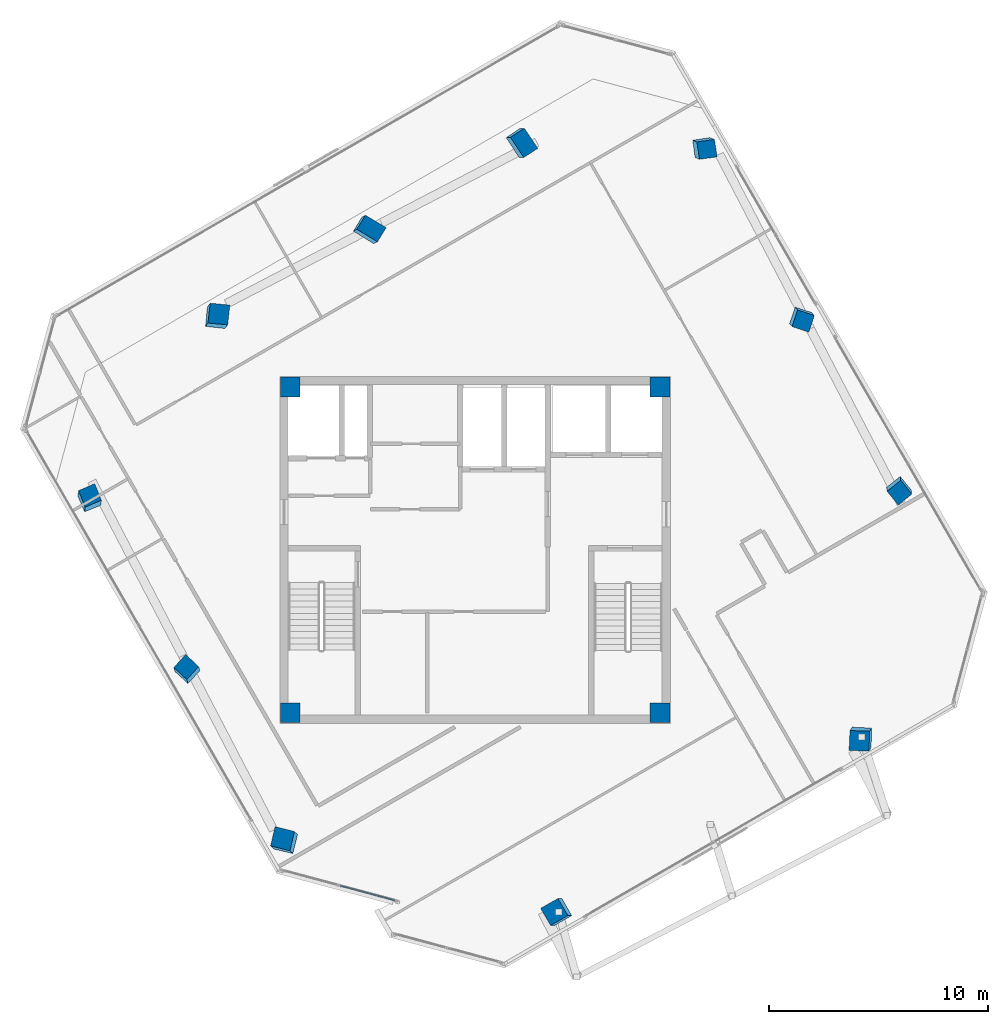
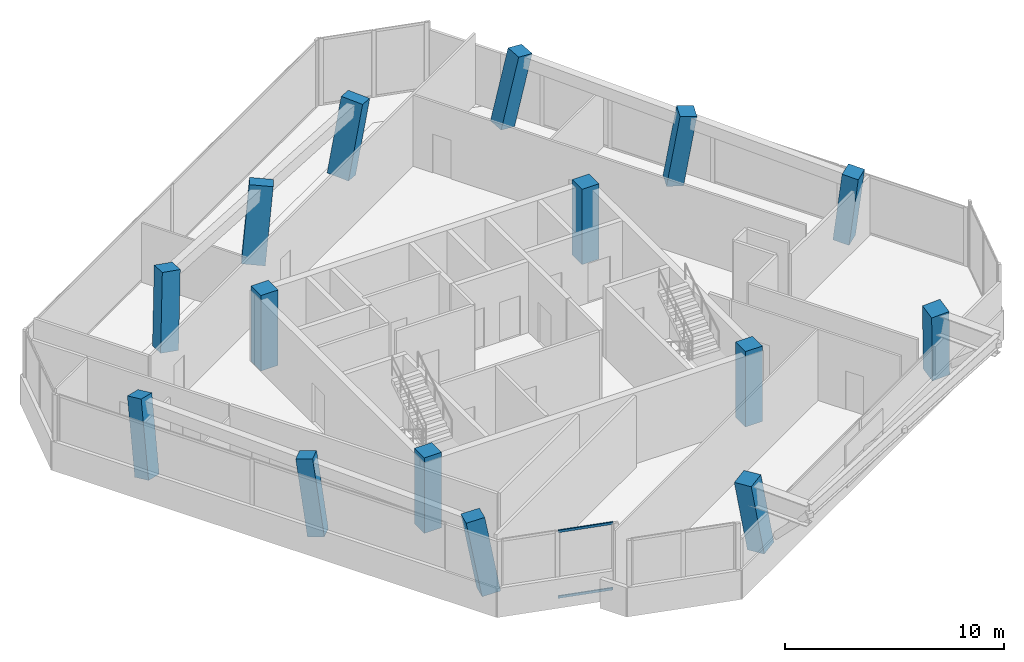
# One storey, part 1 of 15: 15 columns, 2 members, 1 element without a shape of its own.
"""IFC4 building model written with IfcOpenShell, lengths in metres."""

from ifc_helpers import new_model, si_unit, direction, frame, origin, origin_2d, place, context, subcontext, project, spatial, rectangle, hollow_rectangle, extrude, clip, halfspace, source, transform, mapped, material, material_profile, profile_set, type_object, element, aggregate, save


model = new_model("IFC4")

# Units and contexts
model_context = context("Model", 3, precision=1e-05, world=origin(), true_north=direction((0.0, 1.0)))
body_context = subcontext(model_context, "Body", "Model", "MODEL_VIEW")
ifc_project = project(units=[si_unit("LENGTHUNIT", "METRE"), si_unit("AREAUNIT", "SQUARE_METRE"), si_unit("VOLUMEUNIT", "CUBIC_METRE"), si_unit("PLANEANGLEUNIT", "RADIAN"), si_unit("MASSUNIT", "GRAM", prefix="KILO")], contexts=[model_context])

# Site, building, storey
site_placement = place(None, origin())
site = spatial("IfcSite", under=ifc_project, at=site_placement, CompositionType="ELEMENT")
building_placement = place(site_placement, origin())
building = spatial("IfcBuilding", under=site, at=building_placement, Name="Torre Montelarca", CompositionType="ELEMENT")
storey_placement = place(building_placement, frame((0.0, 0.0, 324.0)))
storey = spatial("IfcBuildingStorey", under=building, at=storey_placement, Name="L73", CompositionType="ELEMENT", Elevation=324.0)

# Columns
ifc_material_1 = material(Name="Concrete C40/50", Category="concrete")
ifc_material_profile_1 = material_profile(ifc_material_1, rectangle(XDim=0.75, YDim=1.10009765625, at=origin_2d()), Name="RC1100X750", Category="concrete")
ifc_profile_set_1 = profile_set([ifc_material_profile_1], Name="Concrete C40/50")
column_type_1 = type_object("IfcColumnType", Name="COL-PIL1100-EXT", PredefinedType="PILASTER", material=ifc_profile_set_1)
column_1_placement = place(storey_placement, frame((13.074951171875, 46.592529296875, 0.0), z_axis=(0.151163602868, 0.082910945816, 0.985025553086), x_axis=(-0.507491019711, -0.848622041952, 0.149310062709)))
element("IfcColumn", 1, at=column_1_placement, inside=storey, type_object=column_type_1, Name="L73 Column 1W/E", PredefinedType="PILASTER", context=body_context, shape_type="Clipping", body=[
    clip(clip(extrude(rectangle(XDim=0.75, YDim=1.10009765625, at=origin_2d()), origin(), (0.0, 0.0, 1.0), 4.263916015625), halfspace(frame((0.0, 0.0, 0.105712890625), z_axis=(0.0, 0.0, -1.0), x_axis=(1.0, 0.0, 0.0)), False)), halfspace(frame((0.0, 0.0, 4.158203125), z_axis=(0.0, 0.0, 1.0), x_axis=(1.0, 0.0, 0.0)), False)),
])
column_2_placement = place(storey_placement, frame((20.003173828125, 50.592529296875, 0.0), z_axis=(0.189921418402, 0.011128208109, 0.981736226191), x_axis=(-0.819506066676, -0.54887550505, 0.16475887423)))
element("IfcColumn", 2, at=column_2_placement, inside=storey, type_object=column_type_1, Name="L73 Column 1W/F", PredefinedType="PILASTER", context=body_context, shape_type="Clipping", body=[
    clip(clip(extrude(rectangle(XDim=0.75, YDim=1.10009765625, at=origin_2d()), origin(), (0.0, 0.0, 1.0), 4.278076171875), halfspace(frame((0.0, 0.0, 0.116943359375), z_axis=(0.0, 0.0, -1.0), x_axis=(1.0, 0.0, 0.0)), False)), halfspace(frame((0.0, 0.0, 4.1611328125), z_axis=(0.0, 0.0, 1.0), x_axis=(1.0, 0.0, 0.0)), False)),
])
ifc_material_profile_2 = material_profile(ifc_material_1, rectangle(XDim=0.800048828125, YDim=0.800048828125, at=origin_2d()), Name="RC800X800", Category="concrete")
ifc_profile_set_2 = profile_set([ifc_material_profile_2], Name="Concrete C40/50")
column_type_2 = type_object("IfcColumnType", Name="COL-RC800-EXT", PredefinedType="COLUMN", material=ifc_profile_set_2)
column_3_placement = place(storey_placement, frame((0.3544921875, 34.225341796875, 0.0), z_axis=(0.027245519526, 0.213934089781, 0.976468067525), x_axis=(0.389159716238, -0.902037765523, 0.186768800469)))
element("IfcColumn", 3, at=column_3_placement, inside=storey, type_object=column_type_2, Name="L73 Column 2/CS", PredefinedType="COLUMN", context=body_context, shape_type="Clipping", body=[
    clip(clip(extrude(rectangle(XDim=0.800048828125, YDim=0.800048828125, at=origin_2d()), origin(), (0.0, 0.0, 1.0), 4.30126953125), halfspace(frame((0.0, 0.0, 0.121337890625), z_axis=(0.0, 0.0, -1.0), x_axis=(1.0, 0.0, 0.0)), False)), halfspace(frame((0.0, 0.0, 4.179931640625), z_axis=(0.0, 0.0, 1.0), x_axis=(1.0, 0.0, 0.0)), False)),
])
column_4_placement = place(storey_placement, frame((28.370361328125, 50.400390625, 0.0), z_axis=(0.185732133875, -0.074042249015, 0.979806776771), x_axis=(-0.973368515453, -0.150232230162, 0.173158915868)))
element("IfcColumn", 4, at=column_4_placement, inside=storey, type_object=column_type_2, Name="L73 Column 2/GN", PredefinedType="COLUMN", context=body_context, shape_type="Clipping", body=[
    clip(clip(extrude(rectangle(XDim=0.800048828125, YDim=0.800048828125, at=origin_2d()), origin(), (0.0, 0.0, 1.0), 4.28662109375), halfspace(frame((0.0, 0.0, 0.1123046875), z_axis=(0.0, 0.0, -1.0), x_axis=(1.0, 0.0, 0.0)), False)), halfspace(frame((0.0, 0.0, 4.17431640625), z_axis=(0.0, 0.0, 1.0), x_axis=(1.0, 0.0, 0.0)), False)),
])
column_5_placement = place(storey_placement, frame((4.8544921875, 26.43115234375, 0.0), z_axis=(-0.053240348787, 0.171329844216, 0.983774135532), x_axis=(0.73030076738, -0.665221355242, 0.155374829666)))
element("IfcColumn", 5, at=column_5_placement, inside=storey, type_object=column_type_2, Name="L73 Column 3/CS", PredefinedType="COLUMN", context=body_context, shape_type="Clipping", body=[
    clip(clip(extrude(rectangle(XDim=0.800048828125, YDim=0.800048828125, at=origin_2d()), origin(), (0.0, 0.0, 1.0), 4.269287109375), halfspace(frame((0.0, 0.0, 0.100341796875), z_axis=(0.0, 0.0, -1.0), x_axis=(1.0, 0.0, 0.0)), False)), halfspace(frame((0.0, 0.0, 4.1689453125), z_axis=(0.0, 0.0, 1.0), x_axis=(1.0, 0.0, 0.0)), False)),
])
column_6_placement = place(storey_placement, frame((32.870361328125, 42.606201171875, 0.0), z_axis=(0.106163630579, -0.118960651995, 0.987206992894), x_axis=(-0.942303498906, 0.304954670505, 0.138082456835)))
element("IfcColumn", 6, at=column_6_placement, inside=storey, type_object=column_type_2, Name="L73 Column 3/GN", PredefinedType="COLUMN", context=body_context, shape_type="Clipping", body=[
    clip(clip(extrude(rectangle(XDim=0.800048828125, YDim=0.800048828125, at=origin_2d()), origin(), (0.0, 0.0, 1.0), 4.25439453125), halfspace(frame((0.0, 0.0, 0.089111328125), z_axis=(0.0, 0.0, -1.0), x_axis=(1.0, 0.0, 0.0)), False)), halfspace(frame((0.0, 0.0, 4.165283203125), z_axis=(0.0, 0.0, 1.0), x_axis=(1.0, 0.0, 0.0)), False)),
])
column_7_placement = place(storey_placement, frame((37.370361328125, 34.81201171875, 0.0), z_axis=(0.025225683196, -0.1632216365, 0.986266881876), x_axis=(-0.624589738199, 0.767743075938, 0.143032263094)))
element("IfcColumn", 7, at=column_7_placement, inside=storey, type_object=column_type_2, Name="L73 Column 4/GN", PredefinedType="COLUMN", context=body_context, shape_type="Clipping", body=[
    clip(clip(extrude(rectangle(XDim=0.800048828125, YDim=0.800048828125, at=origin_2d()), origin(), (0.0, 0.0, 1.0), 4.258544921875), halfspace(frame((0.0, 0.0, 0.09228515625), z_axis=(0.0, 0.0, -1.0), x_axis=(1.0, 0.0, 0.0)), False)), halfspace(frame((0.0, 0.0, 4.166259765625), z_axis=(0.0, 0.0, 1.0), x_axis=(1.0, 0.0, 0.0)), False)),
])
ifc_material_2 = material(Name="Concrete C55/67", Category="concrete")
ifc_material_profile_3 = material_profile(ifc_material_2, rectangle(XDim=0.89990234375, YDim=0.89990234375, at=origin_2d()), Name="RC900X900", Category="concrete")
ifc_profile_set_3 = profile_set([ifc_material_profile_3], Name="Concrete C55/67")
column_type_3 = type_object("IfcColumnType", Name="COL-RC900-EXT", PredefinedType="COLUMN", material=ifc_profile_set_3)
column_8_placement = place(storey_placement, frame((9.3544921875, 18.636962890625, 0.0), z_axis=(-0.133747241833, 0.126948471317, 0.982850833511), x_axis=(0.961573158376, -0.223324610803, 0.159697148693)))
element("IfcColumn", 8, at=column_8_placement, inside=storey, type_object=column_type_3, Name="L73 Column 4/CS", PredefinedType="COLUMN", context=body_context, shape_type="Clipping", body=[
    clip(clip(extrude(rectangle(XDim=0.89990234375, YDim=0.89990234375, at=origin_2d()), origin(), (0.0, 0.0, 1.0), 4.273193359375), halfspace(frame((0.0, 0.0, 0.115966796875), z_axis=(0.0, 0.0, -1.0), x_axis=(1.0, 0.0, 0.0)), False)), halfspace(frame((0.0, 0.0, 4.1572265625), z_axis=(0.0, 0.0, 1.0), x_axis=(1.0, 0.0, 0.0)), False)),
])
for number, where, z_axis, x_axis, name in (
    (9, (21.82177734375, 15.442626953125, 0.0), (-0.169515530919, 0.000401016802, 0.985527434404), (0.854672234832, 0.497979531687, 0.146805166898), "L73 Column 5/D"),
    (10, (35.67822265625, 23.442626953125, 0.0), (-0.090743878164, -0.143219504678, 0.985522055591), (0.034438656764, 0.988561718084, 0.146832245976), "L73 Column 5/F"),
):
    element("IfcColumn", number, at=place(storey_placement, frame(where, z_axis=z_axis, x_axis=x_axis)), inside=storey, type_object=column_type_3, Name=name, PredefinedType="COLUMN", context=body_context, shape_type="Clipping", body=[
        clip(clip(extrude(rectangle(XDim=0.89990234375, YDim=0.89990234375, at=origin_2d()), origin(), (0.0, 0.0, 1.0), 4.26171875), halfspace(frame((0.0, 0.0, 0.1064453125), z_axis=(0.0, 0.0, -1.0), x_axis=(1.0, 0.0, 0.0)), False)), halfspace(frame((0.0, 0.0, 4.1552734375), z_axis=(0.0, 0.0, 1.0), x_axis=(1.0, 0.0, 0.0)), False)),
    ])
column_9_placement = place(storey_placement, frame((6.146728515625, 42.592529296875, 0.0), z_axis=(0.11139667023, 0.15419764496, 0.981740224372), x_axis=(-0.092584145067, -0.981981963783, 0.164741005482)))
element("IfcColumn", 11, at=column_9_placement, inside=storey, type_object=column_type_3, Name="L73 Column 1W/D", PredefinedType="COLUMN", context=body_context, shape_type="Clipping", body=[
    clip(clip(extrude(rectangle(XDim=0.89990234375, YDim=0.89990234375, at=origin_2d()), origin(), (0.0, 0.0, 1.0), 4.278076171875), halfspace(frame((0.0, 0.0, 0.119873046875), z_axis=(0.0, 0.0, -1.0), x_axis=(1.0, 0.0, 0.0)), False)), halfspace(frame((0.0, 0.0, 4.158203125), z_axis=(0.0, 0.0, 1.0), x_axis=(1.0, 0.0, 0.0)), False)),
])
ifc_material_profile_4 = material_profile(ifc_material_2, rectangle(XDim=0.89990234375, YDim=0.89990234375, at=origin_2d()), Name="RC900X900", Category="concrete")
ifc_profile_set_4 = profile_set([ifc_material_profile_4], Name="Concrete C55/67")
column_type_4 = type_object("IfcColumnType", Name="COL-RC900", PredefinedType="COLUMN", material=ifc_profile_set_4)
shared_shape_1 = source(origin(), body_context, "Body", "SweptSolid", [
    extrude(rectangle(XDim=0.89990234375, YDim=0.89990234375, at=origin_2d()), origin(), (0.0, 0.0, 1.0), 4.198486328125),
])
for number, where, z_axis, x_axis, name in (
    (12, (9.550048828125, 24.550048828125, 0.000732421875), (0.0, 0.0, 1.0), (1.0, 0.0, 0.0), "L73 Plumb Core Corner Column 2D"),
    (13, (26.449951171875, 24.550048828125, 0.000732421875), (0.0, 0.0, 1.0), (1.0, 0.0, 0.0), "L73 Plumb Core Corner Column 4D"),
    (14, (9.550048828125, 39.449951171875, 0.000732421875), (0.0, 0.0, 1.0), (1.0, 0.0, 0.0), "L73 Plumb Core Corner Column 2F"),
    (15, (26.449951171875, 39.449951171875, 0.000732421875), (0.0, 0.0, 1.0), (1.0, 0.0, 0.0), "L73 Plumb Core Corner Column 4F"),
):
    element("IfcColumn", number, at=place(storey_placement, frame(where, z_axis=z_axis, x_axis=x_axis)), inside=storey, type_object=column_type_4, Name=name, PredefinedType="COLUMN", context=body_context, shape_type="MappedRepresentation", body=[
        mapped(shared_shape_1, transform((0.0, 0.0, 0.0), scale=1.0)),
    ])

# Curtain wall, members
ifc_material_3 = material(Name="Insulated low-E laminated glass", Category="glass")
curtain_wall_type = type_object("IfcCurtainWallType", Name="CW-SYS-Z4", PredefinedType="USERDEFINED", material=ifc_material_3)
curtain_wall_placement = place(storey_placement, origin())
curtain_wall = element("IfcCurtainWall", 16, at=curtain_wall_placement, inside=storey, type_object=curtain_wall_type, Name="L73 Curtain Wall Run CW-T3-L73-E02-B1", ObjectType="UNITISED GLAZING", PredefinedType="USERDEFINED")
ifc_material_4 = material(Name="Anodised aluminium AA 6063-T6", Category="aluminium")
ifc_material_profile_5 = material_profile(ifc_material_4, hollow_rectangle(XDim=0.06494140625, YDim=0.139892578125, WallThickness=0.00390625, InnerFilletRadius=0.00390625, OuterFilletRadius=0.008056640625, at=origin_2d()), Name="ALU65X140X4", Category="aluminium")
ifc_profile_set_5 = profile_set([ifc_material_profile_5], Name="Anodised aluminium AA 6063-T6")
member_type = type_object("IfcMemberType", Name="CWT-ALU140", PredefinedType="USERDEFINED", material=ifc_profile_set_5)
shared_shape_2 = source(origin(), body_context, "Body", "SweptSolid", [
    extrude(hollow_rectangle(XDim=0.06494140625, YDim=0.139892578125, WallThickness=0.00390625, InnerFilletRadius=0.00390625, OuterFilletRadius=0.008056640625, at=origin_2d()), origin(), (0.0, 0.0, 1.0), 2.592529296875),
])
member_1_placement = place(storey_placement, frame((11.831298828125, 16.6435546875, 0.032470703125), z_axis=(0.965934180518, -0.258787864684, 0.0), x_axis=(0.258787864684, 0.965934180518, 0.0)))
member_1 = element("IfcMember", 17, at=member_1_placement, type_object=member_type, Name="CW transom 2.1", ObjectType="TRANSOM", PredefinedType="USERDEFINED", context=body_context, shape_type="MappedRepresentation", body=[
    mapped(shared_shape_2, transform((0.0, 0.0, 0.0), scale=1.0)),
])
member_2_placement = place(storey_placement, frame((11.831298828125, 16.6435546875, 3.6875), z_axis=(0.965934180518, -0.258787864684, 0.0), x_axis=(0.258787864684, 0.965934180518, 0.0)))
member_2 = element("IfcMember", 18, at=member_2_placement, type_object=member_type, Name="CW transom 2.2", ObjectType="TRANSOM", PredefinedType="USERDEFINED", context=body_context, shape_type="MappedRepresentation", body=[
    mapped(shared_shape_2, transform((0.0, 0.0, 0.0), scale=1.0)),
])
aggregate(curtain_wall, [member_1, member_2])

save(model, "model.ifc")
